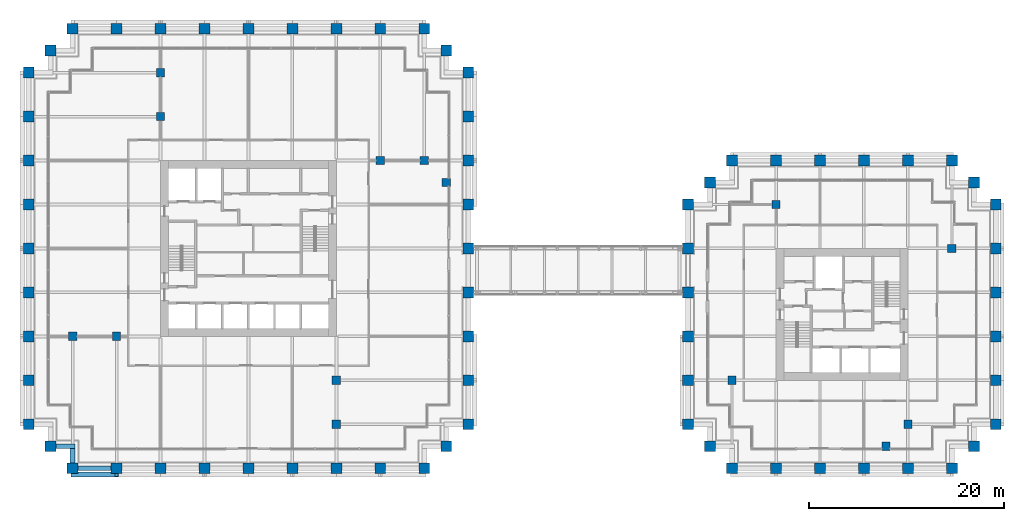
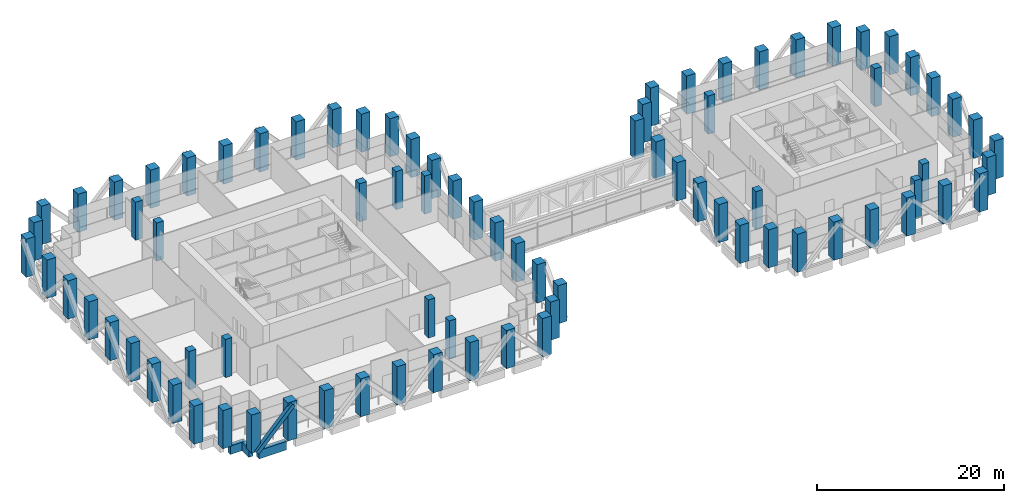
# One storey, part 1 of 44: 82 columns, 3 beams, 1 member.
"""IFC4 building model written with IfcOpenShell, lengths in metres."""

from ifc_helpers import new_model, si_unit, direction, frame, origin, origin_2d, place, context, subcontext, project, spatial, rectangle, hollow_rectangle, extrude, material, material_profile, profile_set, type_object, element, save


model = new_model("IFC4")

# Units and contexts
model_context = context("Model", 3, precision=1e-05, world=origin(), true_north=direction((0.0, 1.0)))
body_context = subcontext(model_context, "Body", "Model", "MODEL_VIEW")
ifc_project = project(units=[si_unit("LENGTHUNIT", "METRE"), si_unit("AREAUNIT", "SQUARE_METRE"), si_unit("VOLUMEUNIT", "CUBIC_METRE"), si_unit("PLANEANGLEUNIT", "RADIAN"), si_unit("MASSUNIT", "GRAM", prefix="KILO")], contexts=[model_context])

# Site, building, storey
site_placement = place(None, origin())
site = spatial("IfcSite", under=ifc_project, at=site_placement, CompositionType="ELEMENT")
building_placement = place(site_placement, origin())
building = spatial("IfcBuilding", under=site, at=building_placement, Name="Altepetl Exchange Towers", CompositionType="ELEMENT")
storey_placement = place(building_placement, frame((0.0, 0.0, 87.0)))
storey = spatial("IfcBuildingStorey", under=building, at=storey_placement, Name="L21 Refuge", CompositionType="ELEMENT", Elevation=87.0)

# Columns
ifc_material_1 = material(Name="Concrete C70/85", Category="concrete")
ifc_material_profile_1 = material_profile(ifc_material_1, rectangle(XDim=0.85009765625, YDim=0.85009765625, at=origin_2d()), Name="850 x 850")
ifc_profile_set_1 = profile_set([ifc_material_profile_1], Name="Concrete C70/85")
column_type_1 = type_object("IfcColumnType", Name="Interior column 850", PredefinedType="COLUMN", material=ifc_profile_set_1)
for number, where, name in (
    (1, (31.5, 40.5, 0.0), "col:A:L21:040"),
    (2, (36.0, 40.5, 0.0), "col:A:L21:041"),
    (3, (40.5, 63.0, 0.0), "col:A:L21:042"),
    (4, (40.5, 67.5, 0.0), "col:A:L21:043"),
    (5, (58.5, 31.5, 0.0), "col:A:L21:044"),
    (6, (58.5, 36.0, 0.0), "col:A:L21:045"),
    (7, (63.0, 58.5, 0.0), "col:A:L21:046"),
    (8, (67.5, 58.5, 0.0), "col:A:L21:047"),
    (9, (69.75, 56.25, 0.0), "col:A:L21:048"),
    (10, (99.0, 36.0, 0.0), "col:B:L21:028"),
    (11, (103.5, 54.0, 0.0), "col:B:L21:029"),
    (12, (114.75, 29.25, 0.0), "col:B:L21:030"),
    (13, (117.0, 31.5, 0.0), "col:B:L21:031"),
    (14, (121.5, 49.5, 0.0), "col:B:L21:032"),
):
    element("IfcColumn", number, at=place(storey_placement, frame(where)), inside=storey, type_object=column_type_1, Name=name, PredefinedType="COLUMN", context=body_context, shape_type="SweptSolid", body=[
        extrude(rectangle(XDim=0.85009765625, YDim=0.85009765625, at=origin_2d()), origin(), (0.0, 0.0, 1.0), 5.0),
    ])
ifc_material_2 = material(Name="Concrete C70/85 precast with cantera amarilla facing", Category="concrete")
ifc_material_profile_2 = material_profile(ifc_material_2, rectangle(XDim=1.10009765625, YDim=1.10009765625, at=origin_2d()), Name="1100 x 1100")
ifc_profile_set_2 = profile_set([ifc_material_profile_2], Name="Concrete C70/85 precast with cantera amarilla facing")
column_type_2 = type_object("IfcColumnType", Name="Perimeter column 1100 cantera amarilla", PredefinedType="COLUMN", material=ifc_profile_set_2)
for number, where, name in (
    (15, (58.5, 27.0, 0.0), "col:A:L21:006"),
    (16, (63.0, 27.0, 0.0), "col:A:L21:007"),
    (17, (67.5, 27.0, 0.0), "col:A:L21:008"),
    (18, (69.75, 29.25, 0.0), "col:A:L21:009"),
    (19, (72.0, 31.5, 0.0), "col:A:L21:010"),
    (20, (72.0, 36.0, 0.0), "col:A:L21:011"),
    (21, (72.0, 40.5, 0.0), "col:A:L21:012"),
    (22, (72.0, 45.0, 0.0), "col:A:L21:013"),
    (23, (72.0, 49.5, 0.0), "col:A:L21:014"),
    (24, (72.0, 54.0, 0.0), "col:A:L21:015"),
    (25, (126.0, 49.5, 0.0), "col:B:L21:011"),
    (26, (126.0, 54.0, 0.0), "col:B:L21:012"),
    (27, (123.75, 56.25, 0.0), "col:B:L21:013"),
    (28, (121.5, 58.5, 0.0), "col:B:L21:014"),
    (29, (117.0, 58.5, 0.0), "col:B:L21:015"),
    (30, (112.5, 58.5, 0.0), "col:B:L21:016"),
    (31, (108.0, 58.5, 0.0), "col:B:L21:017"),
):
    element("IfcColumn", number, at=place(storey_placement, frame(where)), inside=storey, type_object=column_type_2, Name=name, PredefinedType="COLUMN", context=body_context, shape_type="SweptSolid", body=[
        extrude(rectangle(XDim=1.10009765625, YDim=1.10009765625, at=origin_2d()), origin(), (0.0, 0.0, 1.0), 5.0),
    ])
ifc_material_3 = material(Name="Concrete C70/85 precast with cantera blanca facing", Category="concrete")
ifc_material_profile_3 = material_profile(ifc_material_3, rectangle(XDim=1.10009765625, YDim=1.10009765625, at=origin_2d()), Name="1100 x 1100")
ifc_profile_set_3 = profile_set([ifc_material_profile_3], Name="Concrete C70/85 precast with cantera blanca facing")
column_type_3 = type_object("IfcColumnType", Name="Perimeter column 1100 cantera blanca", PredefinedType="COLUMN", material=ifc_profile_set_3)
for number, where, name in (
    (32, (31.5, 27.0, 0.0), "col:A:L21:000"),
    (33, (36.0, 27.0, 0.0), "col:A:L21:001"),
    (34, (40.5, 27.0, 0.0), "col:A:L21:002"),
    (35, (45.0, 27.0, 0.0), "col:A:L21:003"),
    (36, (49.5, 27.0, 0.0), "col:A:L21:004"),
    (37, (54.0, 27.0, 0.0), "col:A:L21:005"),
    (38, (27.0, 36.0, 0.0), "col:A:L21:037"),
    (39, (27.0, 31.5, 0.0), "col:A:L21:038"),
    (40, (29.25, 29.25, 0.0), "col:A:L21:039"),
    (41, (117.0, 27.0, 0.0), "col:B:L21:004"),
    (42, (121.5, 27.0, 0.0), "col:B:L21:005"),
    (43, (123.75, 29.25, 0.0), "col:B:L21:006"),
    (44, (126.0, 31.5, 0.0), "col:B:L21:007"),
    (45, (126.0, 36.0, 0.0), "col:B:L21:008"),
    (46, (126.0, 40.5, 0.0), "col:B:L21:009"),
    (47, (126.0, 45.0, 0.0), "col:B:L21:010"),
):
    element("IfcColumn", number, at=place(storey_placement, frame(where)), inside=storey, type_object=column_type_3, Name=name, PredefinedType="COLUMN", context=body_context, shape_type="SweptSolid", body=[
        extrude(rectangle(XDim=1.10009765625, YDim=1.10009765625, at=origin_2d()), origin(), (0.0, 0.0, 1.0), 5.0),
    ])
ifc_material_4 = material(Name="Concrete C70/85 precast with cantera rosa facing", Category="concrete")
ifc_material_profile_4 = material_profile(ifc_material_4, rectangle(XDim=1.10009765625, YDim=1.10009765625, at=origin_2d()), Name="1100 x 1100")
ifc_profile_set_4 = profile_set([ifc_material_profile_4], Name="Concrete C70/85 precast with cantera rosa facing")
column_type_4 = type_object("IfcColumnType", Name="Perimeter column 1100 cantera rosa", PredefinedType="COLUMN", material=ifc_profile_set_4)
for number, where, name in (
    (48, (72.0, 58.5, 0.0), "col:A:L21:016"),
    (49, (72.0, 63.0, 0.0), "col:A:L21:017"),
    (50, (72.0, 67.5, 0.0), "col:A:L21:018"),
    (51, (69.75, 69.75, 0.0), "col:A:L21:019"),
    (52, (67.5, 72.0, 0.0), "col:A:L21:020"),
    (53, (63.0, 72.0, 0.0), "col:A:L21:021"),
    (54, (58.5, 72.0, 0.0), "col:A:L21:022"),
    (55, (54.0, 72.0, 0.0), "col:A:L21:023"),
    (56, (49.5, 72.0, 0.0), "col:A:L21:024"),
    (57, (45.0, 72.0, 0.0), "col:A:L21:025"),
    (58, (103.5, 58.5, 0.0), "col:B:L21:018"),
    (59, (99.0, 58.5, 0.0), "col:B:L21:019"),
    (60, (96.75, 56.25, 0.0), "col:B:L21:020"),
    (61, (94.5, 54.0, 0.0), "col:B:L21:021"),
    (62, (94.5, 49.5, 0.0), "col:B:L21:022"),
    (63, (94.5, 45.0, 0.0), "col:B:L21:023"),
    (64, (94.5, 40.5, 0.0), "col:B:L21:024"),
    (65, (94.5, 36.0, 0.0), "col:B:L21:025"),
):
    element("IfcColumn", number, at=place(storey_placement, frame(where)), inside=storey, type_object=column_type_4, Name=name, PredefinedType="COLUMN", context=body_context, shape_type="SweptSolid", body=[
        extrude(rectangle(XDim=1.10009765625, YDim=1.10009765625, at=origin_2d()), origin(), (0.0, 0.0, 1.0), 5.0),
    ])
ifc_material_5 = material(Name="Concrete C70/85 precast with tezontle facing", Category="concrete")
ifc_material_profile_5 = material_profile(ifc_material_5, rectangle(XDim=1.10009765625, YDim=1.10009765625, at=origin_2d()), Name="1100 x 1100")
ifc_profile_set_5 = profile_set([ifc_material_profile_5], Name="Concrete C70/85 precast with tezontle facing")
column_type_5 = type_object("IfcColumnType", Name="Perimeter column 1100 tezontle", PredefinedType="COLUMN", material=ifc_profile_set_5)
for number, where, name in (
    (66, (40.5, 72.0, 0.0), "col:A:L21:026"),
    (67, (36.0, 72.0, 0.0), "col:A:L21:027"),
    (68, (31.5, 72.0, 0.0), "col:A:L21:028"),
    (69, (29.25, 69.75, 0.0), "col:A:L21:029"),
    (70, (27.0, 67.5, 0.0), "col:A:L21:030"),
    (71, (27.0, 63.0, 0.0), "col:A:L21:031"),
    (72, (27.0, 58.5, 0.0), "col:A:L21:032"),
    (73, (27.0, 54.0, 0.0), "col:A:L21:033"),
    (74, (27.0, 49.5, 0.0), "col:A:L21:034"),
    (75, (27.0, 45.0, 0.0), "col:A:L21:035"),
    (76, (27.0, 40.5, 0.0), "col:A:L21:036"),
    (77, (99.0, 27.0, 0.0), "col:B:L21:000"),
    (78, (103.5, 27.0, 0.0), "col:B:L21:001"),
    (79, (108.0, 27.0, 0.0), "col:B:L21:002"),
    (80, (112.5, 27.0, 0.0), "col:B:L21:003"),
    (81, (94.5, 31.5, 0.0), "col:B:L21:026"),
    (82, (96.75, 29.25, 0.0), "col:B:L21:027"),
):
    element("IfcColumn", number, at=place(storey_placement, frame(where)), inside=storey, type_object=column_type_5, Name=name, PredefinedType="COLUMN", context=body_context, shape_type="SweptSolid", body=[
        extrude(rectangle(XDim=1.10009765625, YDim=1.10009765625, at=origin_2d()), origin(), (0.0, 0.0, 1.0), 5.0),
    ])

# Member
ifc_material_6 = material(Name="Steel S355", Category="steel")
ifc_material_profile_6 = material_profile(ifc_material_6, hollow_rectangle(XDim=0.508056640625, YDim=0.508056640625, WallThickness=0.017578125, at=origin_2d()), Name="HSS508X508X19.0")
ifc_profile_set_6 = profile_set([ifc_material_profile_6], Name="Steel S355")
member_type = type_object("IfcMemberType", Name="Belt diagonal HSS508X508X19.0", PredefinedType="BRACE", material=ifc_profile_set_6)
member_placement = place(storey_placement, frame((31.5, 26.3701171875, 0.0), z_axis=(0.687744647911, 0.0, 0.725952683906), x_axis=(0.0, 1.0, 0.0)))
element("IfcMember", 83, at=member_placement, inside=storey, type_object=member_type, Name="brc:A:L21:000", PredefinedType="BRACE", context=body_context, shape_type="SweptSolid", body=[
    extrude(hollow_rectangle(XDim=0.508056640625, YDim=0.508056640625, WallThickness=0.017578125, at=origin_2d()), origin(), (0.0, 0.0, 1.0), 6.543212890625),
])

# Beams
ifc_material_7 = material(Name="Concrete C50/60 precast with cantera blanca facing", Category="concrete")
ifc_material_profile_7 = material_profile(ifc_material_7, rectangle(XDim=0.5, YDim=1.10009765625, at=origin_2d()), Name="500 x 1100")
ifc_profile_set_7 = profile_set([ifc_material_profile_7], Name="Concrete C50/60 precast with cantera blanca facing")
beam_type = type_object("IfcBeamType", Name="Spandrel beam 500x1100 cantera blanca", PredefinedType="SPANDREL", material=ifc_profile_set_7)
beam_1_placement = place(storey_placement, frame((32.050048828125, 27.0, -0.75), z_axis=(1.0, 0.0, 0.0), x_axis=(0.0, 1.0, 0.0)))
element("IfcBeam", 84, at=beam_1_placement, inside=storey, type_object=beam_type, Name="sp:A:L21:000", PredefinedType="SPANDREL", context=body_context, shape_type="SweptSolid", body=[
    extrude(rectangle(XDim=0.5, YDim=1.10009765625, at=origin_2d()), origin(), (0.0, 0.0, 1.0), 3.39990234375),
])
beam_2_placement = place(storey_placement, frame((29.800048828125, 29.25, -0.75), z_axis=(1.0, 0.0, 0.0), x_axis=(0.0, 1.0, 0.0)))
element("IfcBeam", 85, at=beam_2_placement, inside=storey, type_object=beam_type, Name="sp:A:L21:046", PredefinedType="SPANDREL", context=body_context, shape_type="SweptSolid", body=[
    extrude(rectangle(XDim=0.5, YDim=1.10009765625, at=origin_2d()), origin(), (0.0, 0.0, 1.0), 1.949951171875),
])
beam_3_placement = place(storey_placement, frame((31.5, 29.0, -0.75), z_axis=(0.0, -1.0, 0.0), x_axis=(1.0, 0.0, 0.0)))
element("IfcBeam", 86, at=beam_3_placement, inside=storey, type_object=beam_type, Name="sp:A:L21:047", PredefinedType="SPANDREL", context=body_context, shape_type="SweptSolid", body=[
    extrude(rectangle(XDim=0.5, YDim=1.10009765625, at=origin_2d()), origin(), (0.0, 0.0, 1.0), 1.449951171875),
])

save(model, "model.ifc")
